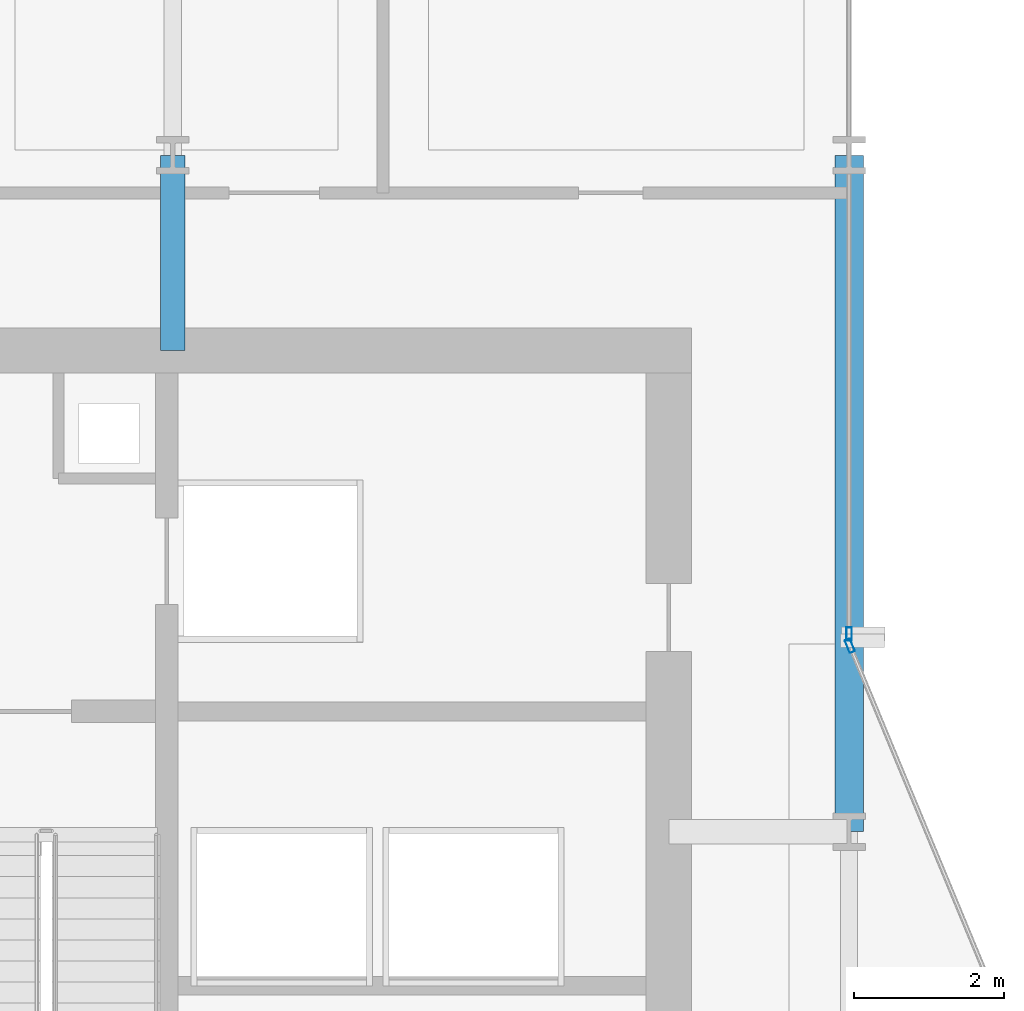
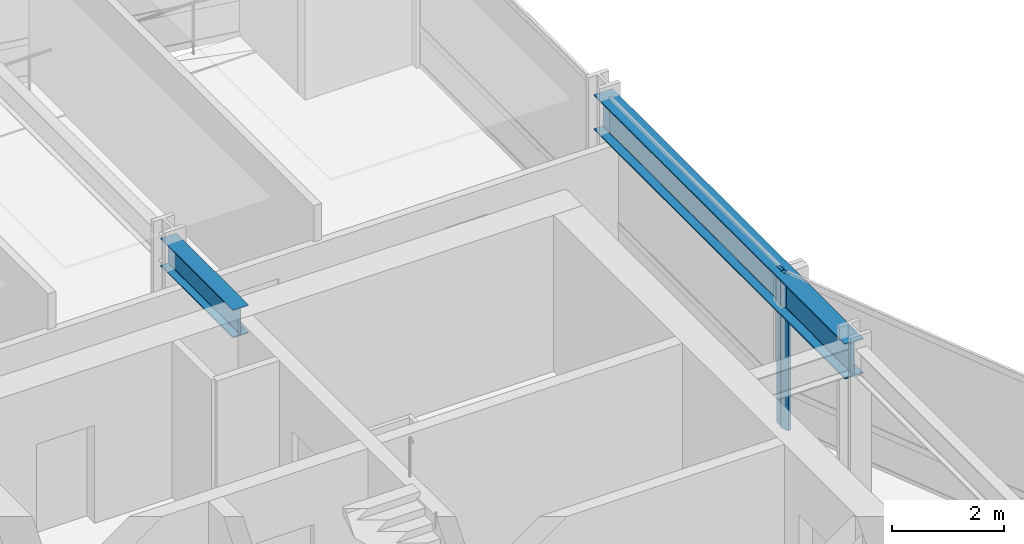
# One storey, part 21 of 34: 2 beams, 2 members, 2 elements without a shape of their own.
"""IFC4 building model written with IfcOpenShell, lengths in metres."""

from ifc_helpers import new_model, si_unit, direction, frame, origin, origin_2d, place, context, subcontext, project, spatial, hollow_rectangle, i_section, extrude, material, layer, layer_set, material_profile, profile_set, type_object, element, aggregate, save


model = new_model("IFC4")

# Units and contexts
model_context = context("Model", 3, precision=1e-05, world=origin(), true_north=direction((0.0, 1.0)))
body_context = subcontext(model_context, "Body", "Model", "MODEL_VIEW")
ifc_project = project(units=[si_unit("LENGTHUNIT", "METRE"), si_unit("AREAUNIT", "SQUARE_METRE"), si_unit("VOLUMEUNIT", "CUBIC_METRE"), si_unit("PLANEANGLEUNIT", "RADIAN"), si_unit("MASSUNIT", "GRAM", prefix="KILO")], contexts=[model_context])

# Site, building, storey
site_placement = place(None, origin())
site = spatial("IfcSite", under=ifc_project, at=site_placement, CompositionType="ELEMENT")
building_placement = place(site_placement, origin())
building = spatial("IfcBuilding", under=site, at=building_placement, Name="Solvaryn Broadcast Tower", CompositionType="ELEMENT")
storey_placement = place(building_placement, frame((0.0, 0.0, 43.39990234375)))
storey = spatial("IfcBuildingStorey", under=building, at=storey_placement, Name="L09", CompositionType="ELEMENT", Elevation=43.39990234375)

# Beams
ifc_material_1 = material(Name="Steel ASTM A992 Grade 50", Category="steel")
ifc_material_profile_1 = material_profile(ifc_material_1, i_section(OverallWidth=0.323974609375, OverallDepth=0.611083984375, WebThickness=0.0126953125, FlangeThickness=0.01904296875, FilletRadius=0.014892578125, at=origin_2d()))
ifc_profile_set_1 = profile_set([ifc_material_profile_1], Name="Steel ASTM A992 Grade 50")
beam_type_1 = type_object("IfcBeamType", Name="BM-B1-W24X104", PredefinedType="BEAM", material=ifc_profile_set_1)
beam_1_placement = place(storey_placement, frame((18.0, 42.39990234375, 3.114501953125), z_axis=(0.0, 1.0, 0.0), x_axis=(-1.0, 0.0, 0.0)))
element("IfcBeam", 1, at=beam_1_placement, inside=storey, type_object=beam_type_1, Name="L09 Core Tie Beam CTW3", PredefinedType="BEAM", context=body_context, shape_type="SweptSolid", body=[
    extrude(i_section(OverallWidth=0.323974609375, OverallDepth=0.611083984375, WebThickness=0.0126953125, FlangeThickness=0.01904296875, FilletRadius=0.014892578125, at=origin_2d()), origin(), (0.0, 0.0, 1.0), 2.60009765625),
])
ifc_material_2 = material(Name="Steel ASTM A992 Grade 50", Category="steel")
ifc_material_profile_2 = material_profile(ifc_material_2, i_section(OverallWidth=0.381103515625, OverallDepth=0.77294921875, WebThickness=0.0166015625, FlangeThickness=0.027099609375, FilletRadius=0.01806640625, at=origin_2d()))
ifc_profile_set_2 = profile_set([ifc_material_profile_2], Name="Steel ASTM A992 Grade 50")
beam_type_2 = type_object("IfcBeamType", Name="BM-SP1-W30X173", PredefinedType="USERDEFINED", material=ifc_profile_set_2)
beam_2_placement = place(storey_placement, frame((27.0, 36.0, 3.03369140625), z_axis=(0.0, 1.0, 0.0), x_axis=(-1.0, 0.0, 0.0)))
element("IfcBeam", 2, at=beam_2_placement, inside=storey, type_object=beam_type_2, Name="L09 Spandrel Beam Y (36-45 @ X=27)", ObjectType="SPANDREL", PredefinedType="USERDEFINED", context=body_context, shape_type="SweptSolid", body=[
    extrude(i_section(OverallWidth=0.381103515625, OverallDepth=0.77294921875, WebThickness=0.0166015625, FlangeThickness=0.027099609375, FilletRadius=0.01806640625, at=origin_2d()), origin(), (0.0, 0.0, 1.0), 9.0),
])

# Curtain wall, member
ifc_material_3 = material(Name="Aluminium and Terracotta Unitised Curtain Wall", Category="masonry")
ifc_layer = layer(ifc_material_3, 0.199951171875)
ifc_layer_set = layer_set([ifc_layer], Name="CW-SYS2-LOWMID")
curtain_wall_type = type_object("IfcCurtainWallType", Name="CW-SYS2-LOWMID", PredefinedType="NOTDEFINED", material=ifc_layer_set)
curtain_wall_1_placement = place(storey_placement, origin())
curtain_wall_1 = element("IfcCurtainWall", 3, at=curtain_wall_1_placement, inside=storey, type_object=curtain_wall_type, Name="L09 Curtain Wall IV", PredefinedType="NOTDEFINED")
ifc_material_4 = material(Name="Anodised Aluminium 6063-T6", Category="aluminium")
ifc_material_profile_3 = material_profile(ifc_material_4, hollow_rectangle(XDim=0.074951171875, YDim=0.179931640625, WallThickness=0.00390625, InnerFilletRadius=0.00390625, OuterFilletRadius=0.008056640625, at=origin_2d()))
ifc_profile_set_3 = profile_set([ifc_material_profile_3], Name="Anodised Aluminium 6063-T6")
member_type = type_object("IfcMemberType", Name="CW-MUL-180", PredefinedType="MULLION", material=ifc_profile_set_3)
member_1_placement = place(storey_placement, frame((27.0, 38.6298828125, 0.0), z_axis=(0.0, 0.0, 1.0), x_axis=(1.0, 0.0, 0.0)))
member_1 = element("IfcMember", 4, at=member_1_placement, type_object=member_type, Name="CWS2 mullion 2", PredefinedType="MULLION", context=body_context, shape_type="SweptSolid", body=[
    extrude(hollow_rectangle(XDim=0.074951171875, YDim=0.179931640625, WallThickness=0.00390625, InnerFilletRadius=0.00390625, OuterFilletRadius=0.008056640625, at=origin_2d()), origin(), (0.0, 0.0, 1.0), 3.420166015625),
])
aggregate(curtain_wall_1, [member_1])

curtain_wall_2_placement = place(storey_placement, origin())
curtain_wall_2 = element("IfcCurtainWall", 5, at=curtain_wall_2_placement, inside=storey, type_object=curtain_wall_type, Name="L09 Curtain Wall CN2", PredefinedType="NOTDEFINED")
member_2_placement = place(storey_placement, frame((27.011474609375, 38.47216796875, 0.0), z_axis=(0.0, 0.0, 1.0), x_axis=(-0.923894983957, -0.382646127145, 0.0)))
member_2 = element("IfcMember", 6, at=member_2_placement, type_object=member_type, Name="CWS2 mullion 2", PredefinedType="MULLION", context=body_context, shape_type="SweptSolid", body=[
    extrude(hollow_rectangle(XDim=0.074951171875, YDim=0.179931640625, WallThickness=0.00390625, InnerFilletRadius=0.00390625, OuterFilletRadius=0.008056640625, at=origin_2d()), origin(), (0.0, 0.0, 1.0), 3.420166015625),
])
aggregate(curtain_wall_2, [member_2])

save(model, "model.ifc")
